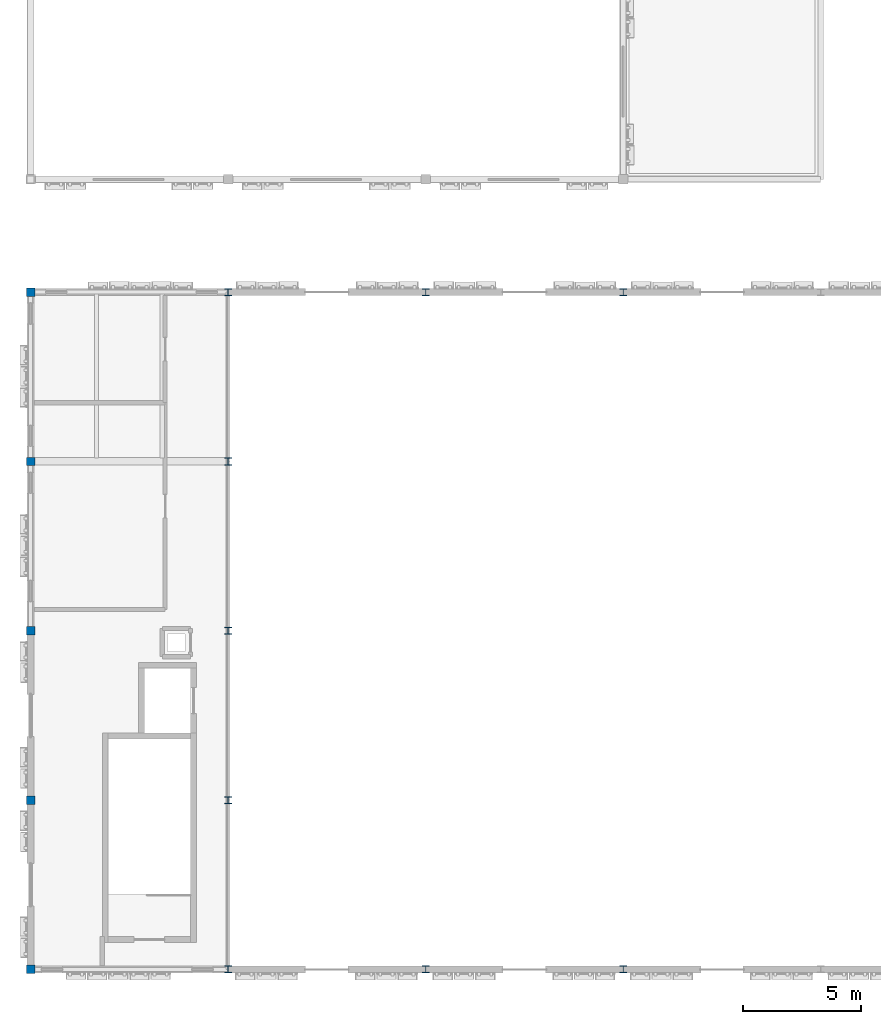
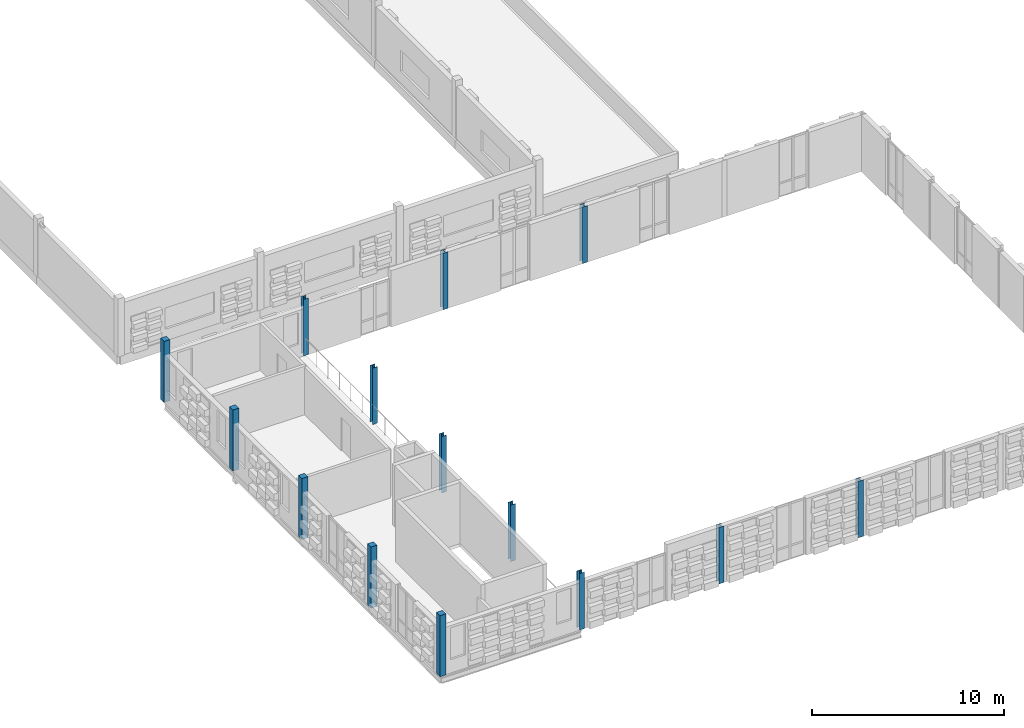
# One storey, part 1 of 57: 14 columns.
"""IFC4 building model written with IfcOpenShell, lengths in metres."""

from ifc_helpers import new_model, si_unit, direction, frame, origin, origin_2d, place, context, subcontext, project, spatial, rectangle, i_section, extrude, material, material_profile, profile_set, type_object, element, save


model = new_model("IFC4")

# Units and contexts
model_context = context("Model", 3, precision=1e-05, world=origin(), true_north=direction((0.0, 1.0)))
body_context = subcontext(model_context, "Body", "Model", "MODEL_VIEW")
ifc_project = project(units=[si_unit("LENGTHUNIT", "METRE"), si_unit("AREAUNIT", "SQUARE_METRE"), si_unit("VOLUMEUNIT", "CUBIC_METRE"), si_unit("PLANEANGLEUNIT", "RADIAN"), si_unit("MASSUNIT", "GRAM", prefix="KILO")], contexts=[model_context])

# Site, building, storey
site_placement = place(None, origin())
site = spatial("IfcSite", under=ifc_project, at=site_placement, CompositionType="ELEMENT")
building_placement = place(site_placement, origin())
building = spatial("IfcBuilding", under=site, at=building_placement, Name="Kahlenmark Community Centre", CompositionType="ELEMENT")
storey_placement = place(building_placement, frame((0.0, 0.0, 13.800048828125)))
storey = spatial("IfcBuildingStorey", under=building, at=storey_placement, Name="L03", CompositionType="ELEMENT", Elevation=13.800048828125)

# Columns
ifc_material_1 = material(Name="Glulam GL32h", Category="wood")
ifc_material_profile_1 = material_profile(ifc_material_1, rectangle(XDim=0.360107421875, YDim=0.360107421875, at=origin_2d()), Name="GL32h 360x360")
ifc_profile_set_1 = profile_set([ifc_material_profile_1], Name="Glulam GL32h")
column_type_1 = type_object("IfcColumnType", Name="CT-GL360", PredefinedType="COLUMN", material=ifc_profile_set_1)
for number, where, z_axis, x_axis, name in (
    (1, (4.0, 8.800048828125, 0.0), (0.0, 0.0, 1.0), (1.0, 0.0, 0.0), "L03 column (4.0, 8.8)"),
    (2, (4.0, 16.0, 0.0), (0.0, 0.0, 1.0), (1.0, 0.0, 0.0), "L03 column (4.0, 16.0)"),
    (3, (4.0, 23.199951171875, 0.0), (0.0, 0.0, 1.0), (1.0, 0.0, 0.0), "L03 column (4.0, 23.2)"),
    (4, (4.0, 30.39990234375, 0.0), (0.0, 0.0, 1.0), (1.0, 0.0, 0.0), "L03 column (4.0, 30.4)"),
    (5, (4.0, 37.60009765625, 0.0), (0.0, 0.0, 1.0), (1.0, 0.0, 0.0), "L03 column (4.0, 37.6)"),
):
    element("IfcColumn", number, at=place(storey_placement, frame(where, z_axis=z_axis, x_axis=x_axis)), inside=storey, type_object=column_type_1, Name=name, PredefinedType="COLUMN", context=body_context, shape_type="SweptSolid", body=[
        extrude(rectangle(XDim=0.360107421875, YDim=0.360107421875, at=origin_2d()), origin(), (0.0, 0.0, 1.0), 3.89990234375),
    ])
ifc_material_2 = material(Name="Steel S355", Category="steel")
ifc_material_profile_2 = material_profile(ifc_material_2, i_section(OverallWidth=0.300048828125, OverallDepth=0.300048828125, WebThickness=0.010986328125, FlangeThickness=0.01904296875, at=origin_2d()), Name="HEB 300")
ifc_profile_set_2 = profile_set([ifc_material_profile_2], Name="Steel S355")
column_type_2 = type_object("IfcColumnType", Name="CT-HEB300", PredefinedType="COLUMN", material=ifc_profile_set_2)
for number, where, z_axis, x_axis, name in (
    (6, (12.39990234375, 8.800048828125, 0.0), (0.0, 0.0, 1.0), (1.0, 0.0, 0.0), "L03 column (12.4, 8.8)"),
    (7, (12.39990234375, 16.0, 0.0), (0.0, 0.0, 1.0), (1.0, 0.0, 0.0), "L03 column (12.4, 16.0)"),
    (8, (12.39990234375, 23.199951171875, 0.0), (0.0, 0.0, 1.0), (1.0, 0.0, 0.0), "L03 column (12.4, 23.2)"),
    (9, (12.39990234375, 30.39990234375, 0.0), (0.0, 0.0, 1.0), (1.0, 0.0, 0.0), "L03 column (12.4, 30.4)"),
    (10, (12.39990234375, 37.60009765625, 0.0), (0.0, 0.0, 1.0), (1.0, 0.0, 0.0), "L03 column (12.4, 37.6)"),
    (11, (20.800048828125, 8.800048828125, 0.0), (0.0, 0.0, 1.0), (1.0, 0.0, 0.0), "L03 column (20.8, 8.8)"),
    (12, (20.800048828125, 37.60009765625, 0.0), (0.0, 0.0, 1.0), (1.0, 0.0, 0.0), "L03 column (20.8, 37.6)"),
    (13, (29.199951171875, 8.800048828125, 0.0), (0.0, 0.0, 1.0), (1.0, 0.0, 0.0), "L03 column (29.2, 8.8)"),
    (14, (29.199951171875, 37.60009765625, 0.0), (0.0, 0.0, 1.0), (1.0, 0.0, 0.0), "L03 column (29.2, 37.6)"),
):
    element("IfcColumn", number, at=place(storey_placement, frame(where, z_axis=z_axis, x_axis=x_axis)), inside=storey, type_object=column_type_2, Name=name, PredefinedType="COLUMN", context=body_context, shape_type="SweptSolid", body=[
        extrude(i_section(OverallWidth=0.300048828125, OverallDepth=0.300048828125, WebThickness=0.010986328125, FlangeThickness=0.01904296875, at=origin_2d()), origin(), (0.0, 0.0, 1.0), 3.599853515625),
    ])

save(model, "model.ifc")
